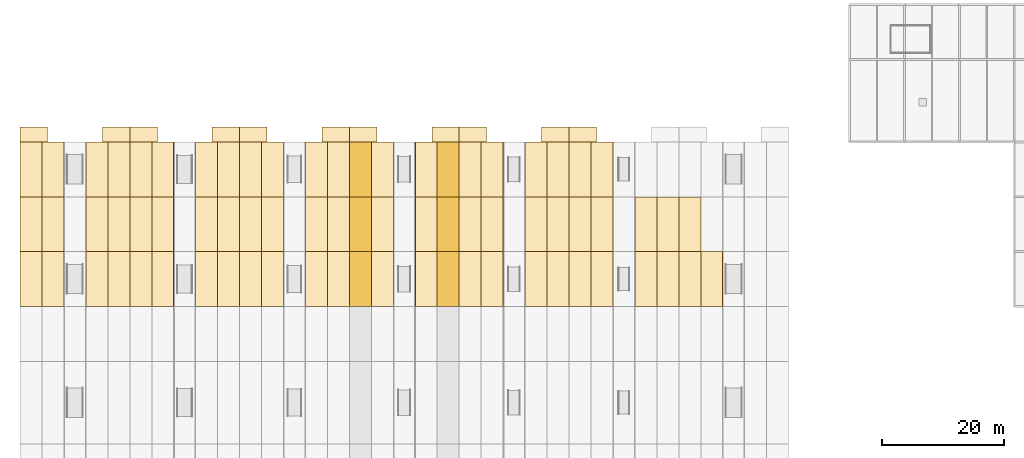
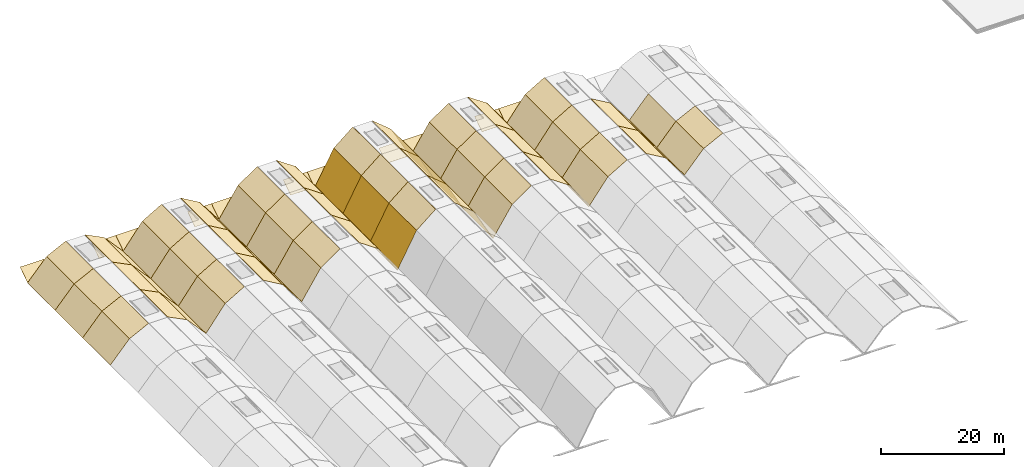
# One storey, part 10 of 11: 84 coverings.
"""IFC4 building model written with IfcOpenShell, lengths in metres."""

from ifc_helpers import new_model, si_unit, direction, frame, origin, place, context, subcontext, project, spatial, polyline, outline, extrude, material, layer, layer_set, type_object, element, save


model = new_model("IFC4")

# Units and contexts
model_context = context("Model", 3, precision=1e-05, world=origin(), true_north=direction((0.0, 1.0)))
body_context = subcontext(model_context, "Body", "Model", "MODEL_VIEW")
ifc_project = project(units=[si_unit("LENGTHUNIT", "METRE"), si_unit("AREAUNIT", "SQUARE_METRE"), si_unit("VOLUMEUNIT", "CUBIC_METRE"), si_unit("PLANEANGLEUNIT", "RADIAN"), si_unit("MASSUNIT", "GRAM", prefix="KILO")], contexts=[model_context])

# Site, building, storey
site_placement = place(None, origin())
site = spatial("IfcSite", under=ifc_project, at=site_placement, CompositionType="ELEMENT")
building_placement = place(site_placement, origin())
building = spatial("IfcBuilding", under=site, at=building_placement, Name="Chuanluo Vaults Station", CompositionType="ELEMENT")
storey_placement = place(building_placement, frame((0.0, 0.0, 24.0)))
storey = spatial("IfcBuildingStorey", under=building, at=storey_placement, Name="RF", CompositionType="ELEMENT", Elevation=24.0)

# Coverings
ifc_material_1 = material(Name="Perforated anodised aluminium panel", Category="aluminium")
ifc_layer_1 = layer(ifc_material_1, 0.050048828125)
ifc_layer_set_1 = layer_set([ifc_layer_1], Name="Perforated anodised aluminium panel")
covering_type_1 = type_object("IfcCoveringType", Name="COV-CLAD-PERF", PredefinedType="CLADDING", material=ifc_layer_set_1)
for number, where, z_axis, x_axis, name in (
    (1, (0.0, 103.5, -9.699951171875), (0.0, -0.554680662541, 0.832063316463), (1.0, 0.0, 0.0), "Vault V1 upturned eave cusp soffit N-W"),
    (2, (13.5, 103.5, -9.699951171875), (0.0, -0.554680662541, 0.832063316463), (1.0, 0.0, 0.0), "Vault V1 upturned eave cusp soffit N-E"),
    (3, (18.0, 103.5, -9.699951171875), (0.0, -0.554680662541, 0.832063316463), (1.0, 0.0, 0.0), "Vault V2 upturned eave cusp soffit N-W"),
    (4, (31.5, 103.5, -9.699951171875), (0.0, -0.554680662541, 0.832063316463), (1.0, 0.0, 0.0), "Vault V2 upturned eave cusp soffit N-E"),
    (5, (36.0, 103.5, -9.699951171875), (0.0, -0.554680662541, 0.832063316463), (1.0, 0.0, 0.0), "Vault V3 upturned eave cusp soffit N-W"),
    (6, (49.5, 103.5, -9.699951171875), (0.0, -0.554680662541, 0.832063316463), (1.0, 0.0, 0.0), "Vault V3 upturned eave cusp soffit N-E"),
    (7, (54.0, 103.5, -9.699951171875), (0.0, -0.554680662541, 0.832063316463), (1.0, 0.0, 0.0), "Vault V4 upturned eave cusp soffit N-W"),
    (8, (67.5, 103.5, -9.699951171875), (0.0, -0.554680662541, 0.832063316463), (1.0, 0.0, 0.0), "Vault V4 upturned eave cusp soffit N-E"),
    (9, (72.0, 103.5, -9.699951171875), (0.0, -0.554680662541, 0.832063316463), (1.0, 0.0, 0.0), "Vault V5 upturned eave cusp soffit N-W"),
    (10, (85.5, 103.5, -9.699951171875), (0.0, -0.554680662541, 0.832063316463), (1.0, 0.0, 0.0), "Vault V5 upturned eave cusp soffit N-E"),
    (11, (90.0, 103.5, -9.699951171875), (0.0, -0.554680662541, 0.832063316463), (1.0, 0.0, 0.0), "Vault V6 upturned eave cusp soffit N-W"),
):
    element("IfcCovering", number, at=place(storey_placement, frame(where, z_axis=z_axis, x_axis=x_axis)), inside=storey, type_object=covering_type_1, Name=name, PredefinedType="CLADDING", context=body_context, shape_type="SweptSolid", body=[
        extrude(outline(polyline([(0.0, 0.0), (4.5, 0.0), (4.5, 2.8842785113429), (0.0, 2.8842785113429), (0.0, 0.0)])), origin(), (0.0, 0.0, -1.0), 0.050048828125),
    ])
ifc_material_2 = material(Name="TPO waterproof roofing membrane")
ifc_layer_2 = layer(ifc_material_2, 0.044921875)
ifc_layer_set_2 = layer_set([ifc_layer_2], Name="TPO waterproof roofing membrane")
covering_type_2 = type_object("IfcCoveringType", Name="COV-ROOF-TPO", PredefinedType="ROOFING", material=ifc_layer_set_2)
covering_1_placement = place(storey_placement, frame((0.0, 76.5, -9.804931640625), z_axis=(-0.743447479335, 0.0, 0.668794322247), x_axis=(0.668794322247, 0.0, 0.743447479335)))
element("IfcCovering", 12, at=covering_1_placement, inside=storey, type_object=covering_type_2, Name="Vault V1 TPO roof membrane 6-L1", PredefinedType="ROOFING", context=body_context, shape_type="SweptSolid", body=[
    extrude(outline(polyline([(0.0, 0.0), (5.382966835234452, 0.0), (5.382966835234452, 9.000000000000002), (0.0, 9.000000000000002), (0.0, 0.0)])), origin(), (0.0, 0.0, -1.0), 0.044921875),
])
for number, where, z_axis, x_axis, name in (
    (13, (3.60009765625, 76.5, -5.802978515625), (-0.446849526259, 0.0, 0.89460913302), (0.89460913302, 0.0, 0.446849526259), "Vault V1 TPO roof membrane 6-L2"),
    (14, (10.800048828125, 76.5, -4.0048828125), (0.446849526259, 0.0, 0.89460913302), (0.89460913302, 0.0, -0.446849526259), "Vault V1 TPO roof membrane 6-R2"),
):
    element("IfcCovering", number, at=place(storey_placement, frame(where, z_axis=z_axis, x_axis=x_axis)), inside=storey, type_object=covering_type_2, Name=name, PredefinedType="ROOFING", context=body_context, shape_type="SweptSolid", body=[
        extrude(outline(polyline([(0.0, 0.0), (4.023940045720645, 0.0), (4.023940045720645, 9.0), (0.0, 9.0), (0.0, 0.0)])), origin(), (0.0, 0.0, -1.0), 0.044921875),
    ])
for number, where, z_axis, x_axis, name in (
    (15, (14.39990234375, 76.5, -5.802978515625), (0.743447479335, 0.0, 0.668794322247), (0.668794322247, 0.0, -0.743447479335), "Vault V1 TPO roof membrane 6-R1"),
    (16, (0.0, 85.5, -9.804931640625), (-0.743447479335, 0.0, 0.668794322247), (0.668794322247, 0.0, 0.743447479335), "Vault V1 TPO roof membrane 7-L1"),
):
    element("IfcCovering", number, at=place(storey_placement, frame(where, z_axis=z_axis, x_axis=x_axis)), inside=storey, type_object=covering_type_2, Name=name, PredefinedType="ROOFING", context=body_context, shape_type="SweptSolid", body=[
        extrude(outline(polyline([(0.0, 0.0), (5.382966835234452, 0.0), (5.382966835234452, 9.000000000000002), (0.0, 9.000000000000002), (0.0, 0.0)])), origin(), (0.0, 0.0, -1.0), 0.044921875),
    ])
for number, where, z_axis, x_axis, name in (
    (17, (3.60009765625, 85.5, -5.802978515625), (-0.446849526259, 0.0, 0.89460913302), (0.89460913302, 0.0, 0.446849526259), "Vault V1 TPO roof membrane 7-L2"),
    (18, (10.800048828125, 85.5, -4.0048828125), (0.446849526259, 0.0, 0.89460913302), (0.89460913302, 0.0, -0.446849526259), "Vault V1 TPO roof membrane 7-R2"),
):
    element("IfcCovering", number, at=place(storey_placement, frame(where, z_axis=z_axis, x_axis=x_axis)), inside=storey, type_object=covering_type_2, Name=name, PredefinedType="ROOFING", context=body_context, shape_type="SweptSolid", body=[
        extrude(outline(polyline([(0.0, 0.0), (4.023940045720645, 0.0), (4.023940045720645, 9.0), (0.0, 9.0), (0.0, 0.0)])), origin(), (0.0, 0.0, -1.0), 0.044921875),
    ])
for number, where, z_axis, x_axis, name in (
    (19, (14.39990234375, 85.5, -5.802978515625), (0.743447479335, 0.0, 0.668794322247), (0.668794322247, 0.0, -0.743447479335), "Vault V1 TPO roof membrane 7-R1"),
    (20, (0.0, 94.5, -9.804931640625), (-0.743447479335, 0.0, 0.668794322247), (0.668794322247, 0.0, 0.743447479335), "Vault V1 TPO roof membrane 8-L1"),
):
    element("IfcCovering", number, at=place(storey_placement, frame(where, z_axis=z_axis, x_axis=x_axis)), inside=storey, type_object=covering_type_2, Name=name, PredefinedType="ROOFING", context=body_context, shape_type="SweptSolid", body=[
        extrude(outline(polyline([(0.0, 0.0), (5.382966835234452, 0.0), (5.382966835234452, 9.000000000000002), (0.0, 9.000000000000002), (0.0, 0.0)])), origin(), (0.0, 0.0, -1.0), 0.044921875),
    ])
for number, where, z_axis, x_axis, name in (
    (21, (3.60009765625, 94.5, -5.802978515625), (-0.446849526259, 0.0, 0.89460913302), (0.89460913302, 0.0, 0.446849526259), "Vault V1 TPO roof membrane 8-L2"),
    (22, (10.800048828125, 94.5, -4.0048828125), (0.446849526259, 0.0, 0.89460913302), (0.89460913302, 0.0, -0.446849526259), "Vault V1 TPO roof membrane 8-R2"),
):
    element("IfcCovering", number, at=place(storey_placement, frame(where, z_axis=z_axis, x_axis=x_axis)), inside=storey, type_object=covering_type_2, Name=name, PredefinedType="ROOFING", context=body_context, shape_type="SweptSolid", body=[
        extrude(outline(polyline([(0.0, 0.0), (4.023940045720645, 0.0), (4.023940045720645, 9.0), (0.0, 9.0), (0.0, 0.0)])), origin(), (0.0, 0.0, -1.0), 0.044921875),
    ])
covering_2_placement = place(storey_placement, frame((14.39990234375, 94.5, -5.802978515625), z_axis=(0.743447479335, 0.0, 0.668794322247), x_axis=(0.668794322247, 0.0, -0.743447479335)))
element("IfcCovering", 23, at=covering_2_placement, inside=storey, type_object=covering_type_2, Name="Vault V1 TPO roof membrane 8-R1", PredefinedType="ROOFING", context=body_context, shape_type="SweptSolid", body=[
    extrude(outline(polyline([(0.0, 0.0), (5.382966835234452, 0.0), (5.382966835234452, 9.000000000000002), (0.0, 9.000000000000002), (0.0, 0.0)])), origin(), (0.0, 0.0, -1.0), 0.044921875),
])
covering_3_placement = place(storey_placement, frame((18.0, 76.5, -9.804931640625), z_axis=(-0.793363110815, 0.0, 0.608748695602), x_axis=(0.608748695602, 0.0, 0.793363110815)))
element("IfcCovering", 24, at=covering_3_placement, inside=storey, type_object=covering_type_2, Name="Vault V2 TPO roof membrane 6-L1", PredefinedType="ROOFING", context=body_context, shape_type="SweptSolid", body=[
    extrude(outline(polyline([(0.0, 0.0), (5.913930793212785, 0.0), (5.913930793212785, 9.0), (0.0, 9.0), (0.0, 0.0)])), origin(), (0.0, 0.0, -1.0), 0.044921875),
])
for number, where, z_axis, x_axis, name in (
    (25, (21.60009765625, 76.5, -5.113037109375), (-0.505343973972, 0.0, 0.862917996087), (0.862917996087, 0.0, 0.505343973972), "Vault V2 TPO roof membrane 6-L2"),
    (26, (28.800048828125, 76.5, -3.0048828125), (0.505343973972, 0.0, 0.862917996087), (0.862917996087, 0.0, -0.505343973972), "Vault V2 TPO roof membrane 6-R2"),
):
    element("IfcCovering", number, at=place(storey_placement, frame(where, z_axis=z_axis, x_axis=x_axis)), inside=storey, type_object=covering_type_2, Name=name, PredefinedType="ROOFING", context=body_context, shape_type="SweptSolid", body=[
        extrude(outline(polyline([(0.0, 0.0), (4.1717214520375405, 0.0), (4.1717214520375405, 9.000000000000002), (0.0, 9.000000000000002), (0.0, 0.0)])), origin(), (0.0, 0.0, -1.0), 0.044921875),
    ])
for number, where, z_axis, x_axis, name in (
    (27, (32.39990234375, 76.5, -5.113037109375), (0.793363110815, 0.0, 0.608748695602), (0.608748695602, 0.0, -0.793363110815), "Vault V2 TPO roof membrane 6-R1"),
    (28, (18.0, 85.5, -9.804931640625), (-0.793363110815, 0.0, 0.608748695602), (0.608748695602, 0.0, 0.793363110815), "Vault V2 TPO roof membrane 7-L1"),
):
    element("IfcCovering", number, at=place(storey_placement, frame(where, z_axis=z_axis, x_axis=x_axis)), inside=storey, type_object=covering_type_2, Name=name, PredefinedType="ROOFING", context=body_context, shape_type="SweptSolid", body=[
        extrude(outline(polyline([(0.0, 0.0), (5.913930793212785, 0.0), (5.913930793212785, 9.0), (0.0, 9.0), (0.0, 0.0)])), origin(), (0.0, 0.0, -1.0), 0.044921875),
    ])
for number, where, z_axis, x_axis, name in (
    (29, (21.60009765625, 85.5, -5.113037109375), (-0.505343973972, 0.0, 0.862917996087), (0.862917996087, 0.0, 0.505343973972), "Vault V2 TPO roof membrane 7-L2"),
    (30, (28.800048828125, 85.5, -3.0048828125), (0.505343973972, 0.0, 0.862917996087), (0.862917996087, 0.0, -0.505343973972), "Vault V2 TPO roof membrane 7-R2"),
):
    element("IfcCovering", number, at=place(storey_placement, frame(where, z_axis=z_axis, x_axis=x_axis)), inside=storey, type_object=covering_type_2, Name=name, PredefinedType="ROOFING", context=body_context, shape_type="SweptSolid", body=[
        extrude(outline(polyline([(0.0, 0.0), (4.1717214520375405, 0.0), (4.1717214520375405, 9.000000000000002), (0.0, 9.000000000000002), (0.0, 0.0)])), origin(), (0.0, 0.0, -1.0), 0.044921875),
    ])
for number, where, z_axis, x_axis, name in (
    (31, (32.39990234375, 85.5, -5.113037109375), (0.793363110815, 0.0, 0.608748695602), (0.608748695602, 0.0, -0.793363110815), "Vault V2 TPO roof membrane 7-R1"),
    (32, (18.0, 94.5, -9.804931640625), (-0.793363110815, 0.0, 0.608748695602), (0.608748695602, 0.0, 0.793363110815), "Vault V2 TPO roof membrane 8-L1"),
):
    element("IfcCovering", number, at=place(storey_placement, frame(where, z_axis=z_axis, x_axis=x_axis)), inside=storey, type_object=covering_type_2, Name=name, PredefinedType="ROOFING", context=body_context, shape_type="SweptSolid", body=[
        extrude(outline(polyline([(0.0, 0.0), (5.913930793212785, 0.0), (5.913930793212785, 9.0), (0.0, 9.0), (0.0, 0.0)])), origin(), (0.0, 0.0, -1.0), 0.044921875),
    ])
for number, where, z_axis, x_axis, name in (
    (33, (21.60009765625, 94.5, -5.113037109375), (-0.505343973972, 0.0, 0.862917996087), (0.862917996087, 0.0, 0.505343973972), "Vault V2 TPO roof membrane 8-L2"),
    (34, (28.800048828125, 94.5, -3.0048828125), (0.505343973972, 0.0, 0.862917996087), (0.862917996087, 0.0, -0.505343973972), "Vault V2 TPO roof membrane 8-R2"),
):
    element("IfcCovering", number, at=place(storey_placement, frame(where, z_axis=z_axis, x_axis=x_axis)), inside=storey, type_object=covering_type_2, Name=name, PredefinedType="ROOFING", context=body_context, shape_type="SweptSolid", body=[
        extrude(outline(polyline([(0.0, 0.0), (4.1717214520375405, 0.0), (4.1717214520375405, 9.000000000000002), (0.0, 9.000000000000002), (0.0, 0.0)])), origin(), (0.0, 0.0, -1.0), 0.044921875),
    ])
covering_4_placement = place(storey_placement, frame((32.39990234375, 94.5, -5.113037109375), z_axis=(0.793363110815, 0.0, 0.608748695602), x_axis=(0.608748695602, 0.0, -0.793363110815)))
element("IfcCovering", 35, at=covering_4_placement, inside=storey, type_object=covering_type_2, Name="Vault V2 TPO roof membrane 8-R1", PredefinedType="ROOFING", context=body_context, shape_type="SweptSolid", body=[
    extrude(outline(polyline([(0.0, 0.0), (5.913930793212785, 0.0), (5.913930793212785, 9.0), (0.0, 9.0), (0.0, 0.0)])), origin(), (0.0, 0.0, -1.0), 0.044921875),
])
covering_5_placement = place(storey_placement, frame((36.0, 76.5, -9.804931640625), z_axis=(-0.837604700912, 0.0, 0.54627682086), x_axis=(0.54627682086, 0.0, 0.837604700912)))
element("IfcCovering", 36, at=covering_5_placement, inside=storey, type_object=covering_type_2, Name="Vault V3 TPO roof membrane 6-L1", PredefinedType="ROOFING", context=body_context, shape_type="SweptSolid", body=[
    extrude(outline(polyline([(0.0, 0.0), (6.590244210946831, 0.0), (6.590244210946831, 9.0), (0.0, 9.0), (0.0, 0.0)])), origin(), (0.0, 0.0, -1.0), 0.044921875),
])
for number, where, z_axis, x_axis, name in (
    (37, (39.60009765625, 76.5, -4.284912109375), (-0.567317861209, 0.0, 0.823498903675), (0.823498903675, 0.0, 0.567317861209), "Vault V3 TPO roof membrane 6-L2"),
    (38, (46.800048828125, 76.5, -1.804931640625), (0.567317861209, 0.0, 0.823498903675), (0.823498903675, 0.0, -0.567317861209), "Vault V3 TPO roof membrane 6-R2"),
):
    element("IfcCovering", number, at=place(storey_placement, frame(where, z_axis=z_axis, x_axis=x_axis)), inside=storey, type_object=covering_type_2, Name=name, PredefinedType="ROOFING", context=body_context, shape_type="SweptSolid", body=[
        extrude(outline(polyline([(0.0, 0.0), (4.371412638877636, 0.0), (4.371412638877636, 9.0), (0.0, 9.0), (0.0, 0.0)])), origin(), (0.0, 0.0, -1.0), 0.044921875),
    ])
for number, where, z_axis, x_axis, name in (
    (39, (50.39990234375, 76.5, -4.284912109375), (0.837604700912, 0.0, 0.54627682086), (0.54627682086, 0.0, -0.837604700912), "Vault V3 TPO roof membrane 6-R1"),
    (40, (36.0, 85.5, -9.804931640625), (-0.837604700912, 0.0, 0.54627682086), (0.54627682086, 0.0, 0.837604700912), "Vault V3 TPO roof membrane 7-L1"),
):
    element("IfcCovering", number, at=place(storey_placement, frame(where, z_axis=z_axis, x_axis=x_axis)), inside=storey, type_object=covering_type_2, Name=name, PredefinedType="ROOFING", context=body_context, shape_type="SweptSolid", body=[
        extrude(outline(polyline([(0.0, 0.0), (6.590244210946831, 0.0), (6.590244210946831, 9.0), (0.0, 9.0), (0.0, 0.0)])), origin(), (0.0, 0.0, -1.0), 0.044921875),
    ])
for number, where, z_axis, x_axis, name in (
    (41, (39.60009765625, 85.5, -4.284912109375), (-0.567317861209, 0.0, 0.823498903675), (0.823498903675, 0.0, 0.567317861209), "Vault V3 TPO roof membrane 7-L2"),
    (42, (46.800048828125, 85.5, -1.804931640625), (0.567317861209, 0.0, 0.823498903675), (0.823498903675, 0.0, -0.567317861209), "Vault V3 TPO roof membrane 7-R2"),
):
    element("IfcCovering", number, at=place(storey_placement, frame(where, z_axis=z_axis, x_axis=x_axis)), inside=storey, type_object=covering_type_2, Name=name, PredefinedType="ROOFING", context=body_context, shape_type="SweptSolid", body=[
        extrude(outline(polyline([(0.0, 0.0), (4.371412638877636, 0.0), (4.371412638877636, 9.0), (0.0, 9.0), (0.0, 0.0)])), origin(), (0.0, 0.0, -1.0), 0.044921875),
    ])
for number, where, z_axis, x_axis, name in (
    (43, (50.39990234375, 85.5, -4.284912109375), (0.837604700912, 0.0, 0.54627682086), (0.54627682086, 0.0, -0.837604700912), "Vault V3 TPO roof membrane 7-R1"),
    (44, (36.0, 94.5, -9.804931640625), (-0.837604700912, 0.0, 0.54627682086), (0.54627682086, 0.0, 0.837604700912), "Vault V3 TPO roof membrane 8-L1"),
):
    element("IfcCovering", number, at=place(storey_placement, frame(where, z_axis=z_axis, x_axis=x_axis)), inside=storey, type_object=covering_type_2, Name=name, PredefinedType="ROOFING", context=body_context, shape_type="SweptSolid", body=[
        extrude(outline(polyline([(0.0, 0.0), (6.590244210946831, 0.0), (6.590244210946831, 9.0), (0.0, 9.0), (0.0, 0.0)])), origin(), (0.0, 0.0, -1.0), 0.044921875),
    ])
for number, where, z_axis, x_axis, name in (
    (45, (39.60009765625, 94.5, -4.284912109375), (-0.567317861209, 0.0, 0.823498903675), (0.823498903675, 0.0, 0.567317861209), "Vault V3 TPO roof membrane 8-L2"),
    (46, (46.800048828125, 94.5, -1.804931640625), (0.567317861209, 0.0, 0.823498903675), (0.823498903675, 0.0, -0.567317861209), "Vault V3 TPO roof membrane 8-R2"),
):
    element("IfcCovering", number, at=place(storey_placement, frame(where, z_axis=z_axis, x_axis=x_axis)), inside=storey, type_object=covering_type_2, Name=name, PredefinedType="ROOFING", context=body_context, shape_type="SweptSolid", body=[
        extrude(outline(polyline([(0.0, 0.0), (4.371412638877636, 0.0), (4.371412638877636, 9.0), (0.0, 9.0), (0.0, 0.0)])), origin(), (0.0, 0.0, -1.0), 0.044921875),
    ])
covering_6_placement = place(storey_placement, frame((50.39990234375, 94.5, -4.284912109375), z_axis=(0.837604700912, 0.0, 0.54627682086), x_axis=(0.54627682086, 0.0, -0.837604700912)))
element("IfcCovering", 47, at=covering_6_placement, inside=storey, type_object=covering_type_2, Name="Vault V3 TPO roof membrane 8-R1", PredefinedType="ROOFING", context=body_context, shape_type="SweptSolid", body=[
    extrude(outline(polyline([(0.0, 0.0), (6.590244210946831, 0.0), (6.590244210946831, 9.0), (0.0, 9.0), (0.0, 0.0)])), origin(), (0.0, 0.0, -1.0), 0.044921875),
])
covering_7_placement = place(storey_placement, frame((54.0, 76.5, -9.804931640625), z_axis=(-0.878619783786, 0.0, 0.477522015764), x_axis=(0.477522015764, 0.0, 0.878619783786)))
element("IfcCovering", 48, at=covering_7_placement, inside=storey, type_object=covering_type_2, Name="Vault V4 TPO roof membrane 6-L1", PredefinedType="ROOFING", context=body_context, shape_type="SweptSolid", body=[
    extrude(outline(polyline([(0.0, 0.0), (7.539123930211392, 0.0), (7.539123930211392, 9.0), (0.0, 9.0), (0.0, 0.0)])), origin(), (0.0, 0.0, -1.0), 0.044921875),
])
for number, where, z_axis, x_axis, name in (
    (49, (57.60009765625, 76.5, -3.180908203125), (-0.637140772977, 0.0, 0.770747452419), (0.770747452419, 0.0, 0.637140772977), "Vault V4 TPO roof membrane 6-L2"),
    (50, (64.800048828125, 76.5, -0.205078125), (0.637140772977, 0.0, 0.770747452419), (0.770747452419, 0.0, -0.637140772977), "Vault V4 TPO roof membrane 6-R2"),
):
    element("IfcCovering", number, at=place(storey_placement, frame(where, z_axis=z_axis, x_axis=x_axis)), inside=storey, type_object=covering_type_2, Name=name, PredefinedType="ROOFING", context=body_context, shape_type="SweptSolid", body=[
        extrude(outline(polyline([(0.0, 0.0), (4.670600602474067, 0.0), (4.670600602474067, 9.0), (0.0, 9.0), (0.0, 0.0)])), origin(), (0.0, 0.0, -1.0), 0.044921875),
    ])
for number, where, z_axis, x_axis, name in (
    (51, (68.39990234375, 76.5, -3.180908203125), (0.878619783786, 0.0, 0.477522015764), (0.477522015764, 0.0, -0.878619783786), "Vault V4 TPO roof membrane 6-R1"),
    (52, (54.0, 85.5, -9.804931640625), (-0.878619783786, 0.0, 0.477522015764), (0.477522015764, 0.0, 0.878619783786), "Vault V4 TPO roof membrane 7-L1"),
):
    element("IfcCovering", number, at=place(storey_placement, frame(where, z_axis=z_axis, x_axis=x_axis)), inside=storey, type_object=covering_type_2, Name=name, PredefinedType="ROOFING", context=body_context, shape_type="SweptSolid", body=[
        extrude(outline(polyline([(0.0, 0.0), (7.539123930211392, 0.0), (7.539123930211392, 9.0), (0.0, 9.0), (0.0, 0.0)])), origin(), (0.0, 0.0, -1.0), 0.044921875),
    ])
for number, where, z_axis, x_axis, name in (
    (53, (57.60009765625, 85.5, -3.180908203125), (-0.637140772977, 0.0, 0.770747452419), (0.770747452419, 0.0, 0.637140772977), "Vault V4 TPO roof membrane 7-L2"),
    (54, (64.800048828125, 85.5, -0.205078125), (0.637140772977, 0.0, 0.770747452419), (0.770747452419, 0.0, -0.637140772977), "Vault V4 TPO roof membrane 7-R2"),
):
    element("IfcCovering", number, at=place(storey_placement, frame(where, z_axis=z_axis, x_axis=x_axis)), inside=storey, type_object=covering_type_2, Name=name, PredefinedType="ROOFING", context=body_context, shape_type="SweptSolid", body=[
        extrude(outline(polyline([(0.0, 0.0), (4.670600602474067, 0.0), (4.670600602474067, 9.0), (0.0, 9.0), (0.0, 0.0)])), origin(), (0.0, 0.0, -1.0), 0.044921875),
    ])
for number, where, z_axis, x_axis, name in (
    (55, (68.39990234375, 85.5, -3.180908203125), (0.878619783786, 0.0, 0.477522015764), (0.477522015764, 0.0, -0.878619783786), "Vault V4 TPO roof membrane 7-R1"),
    (56, (54.0, 94.5, -9.804931640625), (-0.878619783786, 0.0, 0.477522015764), (0.477522015764, 0.0, 0.878619783786), "Vault V4 TPO roof membrane 8-L1"),
):
    element("IfcCovering", number, at=place(storey_placement, frame(where, z_axis=z_axis, x_axis=x_axis)), inside=storey, type_object=covering_type_2, Name=name, PredefinedType="ROOFING", context=body_context, shape_type="SweptSolid", body=[
        extrude(outline(polyline([(0.0, 0.0), (7.539123930211392, 0.0), (7.539123930211392, 9.0), (0.0, 9.0), (0.0, 0.0)])), origin(), (0.0, 0.0, -1.0), 0.044921875),
    ])
for number, where, z_axis, x_axis, name in (
    (57, (57.60009765625, 94.5, -3.180908203125), (-0.637140772977, 0.0, 0.770747452419), (0.770747452419, 0.0, 0.637140772977), "Vault V4 TPO roof membrane 8-L2"),
    (58, (64.800048828125, 94.5, -0.205078125), (0.637140772977, 0.0, 0.770747452419), (0.770747452419, 0.0, -0.637140772977), "Vault V4 TPO roof membrane 8-R2"),
):
    element("IfcCovering", number, at=place(storey_placement, frame(where, z_axis=z_axis, x_axis=x_axis)), inside=storey, type_object=covering_type_2, Name=name, PredefinedType="ROOFING", context=body_context, shape_type="SweptSolid", body=[
        extrude(outline(polyline([(0.0, 0.0), (4.670600602474067, 0.0), (4.670600602474067, 9.0), (0.0, 9.0), (0.0, 0.0)])), origin(), (0.0, 0.0, -1.0), 0.044921875),
    ])
covering_8_placement = place(storey_placement, frame((68.39990234375, 94.5, -3.180908203125), z_axis=(0.878619783786, 0.0, 0.477522015764), x_axis=(0.477522015764, 0.0, -0.878619783786)))
element("IfcCovering", 59, at=covering_8_placement, inside=storey, type_object=covering_type_2, Name="Vault V4 TPO roof membrane 8-R1", PredefinedType="ROOFING", context=body_context, shape_type="SweptSolid", body=[
    extrude(outline(polyline([(0.0, 0.0), (7.539123930211392, 0.0), (7.539123930211392, 9.0), (0.0, 9.0), (0.0, 0.0)])), origin(), (0.0, 0.0, -1.0), 0.044921875),
])
covering_9_placement = place(storey_placement, frame((72.0, 76.5, -9.804931640625), z_axis=(-0.837604700912, 0.0, 0.54627682086), x_axis=(0.54627682086, 0.0, 0.837604700912)))
element("IfcCovering", 60, at=covering_9_placement, inside=storey, type_object=covering_type_2, Name="Vault V5 TPO roof membrane 6-L1", PredefinedType="ROOFING", context=body_context, shape_type="SweptSolid", body=[
    extrude(outline(polyline([(0.0, 0.0), (6.590244210946831, 0.0), (6.590244210946831, 9.0), (0.0, 9.0), (0.0, 0.0)])), origin(), (0.0, 0.0, -1.0), 0.044921875),
])
for number, where, z_axis, x_axis, name in (
    (61, (75.60009765625, 76.5, -4.284912109375), (-0.567317861209, 0.0, 0.823498903675), (0.823498903675, 0.0, 0.567317861209), "Vault V5 TPO roof membrane 6-L2"),
    (62, (82.800048828125, 76.5, -1.804931640625), (0.567317861209, 0.0, 0.823498903675), (0.823498903675, 0.0, -0.567317861209), "Vault V5 TPO roof membrane 6-R2"),
):
    element("IfcCovering", number, at=place(storey_placement, frame(where, z_axis=z_axis, x_axis=x_axis)), inside=storey, type_object=covering_type_2, Name=name, PredefinedType="ROOFING", context=body_context, shape_type="SweptSolid", body=[
        extrude(outline(polyline([(0.0, 0.0), (4.371412638877636, 0.0), (4.371412638877636, 9.0), (0.0, 9.0), (0.0, 0.0)])), origin(), (0.0, 0.0, -1.0), 0.044921875),
    ])
for number, where, z_axis, x_axis, name in (
    (63, (86.39990234375, 76.5, -4.284912109375), (0.837604700912, 0.0, 0.54627682086), (0.54627682086, 0.0, -0.837604700912), "Vault V5 TPO roof membrane 6-R1"),
    (64, (72.0, 85.5, -9.804931640625), (-0.837604700912, 0.0, 0.54627682086), (0.54627682086, 0.0, 0.837604700912), "Vault V5 TPO roof membrane 7-L1"),
):
    element("IfcCovering", number, at=place(storey_placement, frame(where, z_axis=z_axis, x_axis=x_axis)), inside=storey, type_object=covering_type_2, Name=name, PredefinedType="ROOFING", context=body_context, shape_type="SweptSolid", body=[
        extrude(outline(polyline([(0.0, 0.0), (6.590244210946831, 0.0), (6.590244210946831, 9.0), (0.0, 9.0), (0.0, 0.0)])), origin(), (0.0, 0.0, -1.0), 0.044921875),
    ])
for number, where, z_axis, x_axis, name in (
    (65, (75.60009765625, 85.5, -4.284912109375), (-0.567317861209, 0.0, 0.823498903675), (0.823498903675, 0.0, 0.567317861209), "Vault V5 TPO roof membrane 7-L2"),
    (66, (82.800048828125, 85.5, -1.804931640625), (0.567317861209, 0.0, 0.823498903675), (0.823498903675, 0.0, -0.567317861209), "Vault V5 TPO roof membrane 7-R2"),
):
    element("IfcCovering", number, at=place(storey_placement, frame(where, z_axis=z_axis, x_axis=x_axis)), inside=storey, type_object=covering_type_2, Name=name, PredefinedType="ROOFING", context=body_context, shape_type="SweptSolid", body=[
        extrude(outline(polyline([(0.0, 0.0), (4.371412638877636, 0.0), (4.371412638877636, 9.0), (0.0, 9.0), (0.0, 0.0)])), origin(), (0.0, 0.0, -1.0), 0.044921875),
    ])
for number, where, z_axis, x_axis, name in (
    (67, (86.39990234375, 85.5, -4.284912109375), (0.837604700912, 0.0, 0.54627682086), (0.54627682086, 0.0, -0.837604700912), "Vault V5 TPO roof membrane 7-R1"),
    (68, (72.0, 94.5, -9.804931640625), (-0.837604700912, 0.0, 0.54627682086), (0.54627682086, 0.0, 0.837604700912), "Vault V5 TPO roof membrane 8-L1"),
):
    element("IfcCovering", number, at=place(storey_placement, frame(where, z_axis=z_axis, x_axis=x_axis)), inside=storey, type_object=covering_type_2, Name=name, PredefinedType="ROOFING", context=body_context, shape_type="SweptSolid", body=[
        extrude(outline(polyline([(0.0, 0.0), (6.590244210946831, 0.0), (6.590244210946831, 9.0), (0.0, 9.0), (0.0, 0.0)])), origin(), (0.0, 0.0, -1.0), 0.044921875),
    ])
for number, where, z_axis, x_axis, name in (
    (69, (75.60009765625, 94.5, -4.284912109375), (-0.567317861209, 0.0, 0.823498903675), (0.823498903675, 0.0, 0.567317861209), "Vault V5 TPO roof membrane 8-L2"),
    (70, (82.800048828125, 94.5, -1.804931640625), (0.567317861209, 0.0, 0.823498903675), (0.823498903675, 0.0, -0.567317861209), "Vault V5 TPO roof membrane 8-R2"),
):
    element("IfcCovering", number, at=place(storey_placement, frame(where, z_axis=z_axis, x_axis=x_axis)), inside=storey, type_object=covering_type_2, Name=name, PredefinedType="ROOFING", context=body_context, shape_type="SweptSolid", body=[
        extrude(outline(polyline([(0.0, 0.0), (4.371412638877636, 0.0), (4.371412638877636, 9.0), (0.0, 9.0), (0.0, 0.0)])), origin(), (0.0, 0.0, -1.0), 0.044921875),
    ])
covering_10_placement = place(storey_placement, frame((86.39990234375, 94.5, -4.284912109375), z_axis=(0.837604700912, 0.0, 0.54627682086), x_axis=(0.54627682086, 0.0, -0.837604700912)))
element("IfcCovering", 71, at=covering_10_placement, inside=storey, type_object=covering_type_2, Name="Vault V5 TPO roof membrane 8-R1", PredefinedType="ROOFING", context=body_context, shape_type="SweptSolid", body=[
    extrude(outline(polyline([(0.0, 0.0), (6.590244210946831, 0.0), (6.590244210946831, 9.0), (0.0, 9.0), (0.0, 0.0)])), origin(), (0.0, 0.0, -1.0), 0.044921875),
])
covering_11_placement = place(storey_placement, frame((90.0, 76.5, -9.804931640625), z_axis=(-0.793363110815, 0.0, 0.608748695602), x_axis=(0.608748695602, 0.0, 0.793363110815)))
element("IfcCovering", 72, at=covering_11_placement, inside=storey, type_object=covering_type_2, Name="Vault V6 TPO roof membrane 6-L1", PredefinedType="ROOFING", context=body_context, shape_type="SweptSolid", body=[
    extrude(outline(polyline([(0.0, 0.0), (5.913930793212785, 0.0), (5.913930793212785, 9.0), (0.0, 9.0), (0.0, 0.0)])), origin(), (0.0, 0.0, -1.0), 0.044921875),
])
for number, where, z_axis, x_axis, name in (
    (73, (93.60009765625, 76.5, -5.113037109375), (-0.505343973972, 0.0, 0.862917996087), (0.862917996087, 0.0, 0.505343973972), "Vault V6 TPO roof membrane 6-L2"),
    (74, (100.800048828125, 76.5, -3.0048828125), (0.505343973972, 0.0, 0.862917996087), (0.862917996087, 0.0, -0.505343973972), "Vault V6 TPO roof membrane 6-R2"),
):
    element("IfcCovering", number, at=place(storey_placement, frame(where, z_axis=z_axis, x_axis=x_axis)), inside=storey, type_object=covering_type_2, Name=name, PredefinedType="ROOFING", context=body_context, shape_type="SweptSolid", body=[
        extrude(outline(polyline([(0.0, 0.0), (4.1717214520375405, 0.0), (4.1717214520375405, 9.000000000000002), (0.0, 9.000000000000002), (0.0, 0.0)])), origin(), (0.0, 0.0, -1.0), 0.044921875),
    ])
for number, where, z_axis, x_axis, name in (
    (75, (104.39990234375, 76.5, -5.113037109375), (0.793363110815, 0.0, 0.608748695602), (0.608748695602, 0.0, -0.793363110815), "Vault V6 TPO roof membrane 6-R1"),
    (76, (90.0, 85.5, -9.804931640625), (-0.793363110815, 0.0, 0.608748695602), (0.608748695602, 0.0, 0.793363110815), "Vault V6 TPO roof membrane 7-L1"),
):
    element("IfcCovering", number, at=place(storey_placement, frame(where, z_axis=z_axis, x_axis=x_axis)), inside=storey, type_object=covering_type_2, Name=name, PredefinedType="ROOFING", context=body_context, shape_type="SweptSolid", body=[
        extrude(outline(polyline([(0.0, 0.0), (5.913930793212785, 0.0), (5.913930793212785, 9.0), (0.0, 9.0), (0.0, 0.0)])), origin(), (0.0, 0.0, -1.0), 0.044921875),
    ])
for number, where, z_axis, x_axis, name in (
    (77, (93.60009765625, 85.5, -5.113037109375), (-0.505343973972, 0.0, 0.862917996087), (0.862917996087, 0.0, 0.505343973972), "Vault V6 TPO roof membrane 7-L2"),
    (78, (100.800048828125, 85.5, -3.0048828125), (0.505343973972, 0.0, 0.862917996087), (0.862917996087, 0.0, -0.505343973972), "Vault V6 TPO roof membrane 7-R2"),
):
    element("IfcCovering", number, at=place(storey_placement, frame(where, z_axis=z_axis, x_axis=x_axis)), inside=storey, type_object=covering_type_2, Name=name, PredefinedType="ROOFING", context=body_context, shape_type="SweptSolid", body=[
        extrude(outline(polyline([(0.0, 0.0), (4.1717214520375405, 0.0), (4.1717214520375405, 9.000000000000002), (0.0, 9.000000000000002), (0.0, 0.0)])), origin(), (0.0, 0.0, -1.0), 0.044921875),
    ])
for number, where, z_axis, x_axis, name in (
    (79, (104.39990234375, 85.5, -5.113037109375), (0.793363110815, 0.0, 0.608748695602), (0.608748695602, 0.0, -0.793363110815), "Vault V6 TPO roof membrane 7-R1"),
    (80, (90.0, 94.5, -9.804931640625), (-0.793363110815, 0.0, 0.608748695602), (0.608748695602, 0.0, 0.793363110815), "Vault V6 TPO roof membrane 8-L1"),
):
    element("IfcCovering", number, at=place(storey_placement, frame(where, z_axis=z_axis, x_axis=x_axis)), inside=storey, type_object=covering_type_2, Name=name, PredefinedType="ROOFING", context=body_context, shape_type="SweptSolid", body=[
        extrude(outline(polyline([(0.0, 0.0), (5.913930793212785, 0.0), (5.913930793212785, 9.0), (0.0, 9.0), (0.0, 0.0)])), origin(), (0.0, 0.0, -1.0), 0.044921875),
    ])
covering_12_placement = place(storey_placement, frame((93.60009765625, 94.5, -5.113037109375), z_axis=(-0.505343973972, 0.0, 0.862917996087), x_axis=(0.862917996087, 0.0, 0.505343973972)))
element("IfcCovering", 81, at=covering_12_placement, inside=storey, type_object=covering_type_2, Name="Vault V6 TPO roof membrane 8-L2", PredefinedType="ROOFING", context=body_context, shape_type="SweptSolid", body=[
    extrude(outline(polyline([(0.0, 0.0), (4.1717214520375405, 0.0), (4.1717214520375405, 9.000000000000002), (0.0, 9.000000000000002), (0.0, 0.0)])), origin(), (0.0, 0.0, -1.0), 0.044921875),
])
covering_13_placement = place(storey_placement, frame((108.0, 76.5, -9.804931640625), z_axis=(-0.743447479335, 0.0, 0.668794322247), x_axis=(0.668794322247, 0.0, 0.743447479335)))
element("IfcCovering", 82, at=covering_13_placement, inside=storey, type_object=covering_type_2, Name="Vault V7 TPO roof membrane 6-L1", PredefinedType="ROOFING", context=body_context, shape_type="SweptSolid", body=[
    extrude(outline(polyline([(0.0, 0.0), (5.382966835234452, 0.0), (5.382966835234452, 9.000000000000002), (0.0, 9.000000000000002), (0.0, 0.0)])), origin(), (0.0, 0.0, -1.0), 0.044921875),
])
covering_14_placement = place(storey_placement, frame((111.60009765625, 76.5, -5.802978515625), z_axis=(-0.446849526259, 0.0, 0.89460913302), x_axis=(0.89460913302, 0.0, 0.446849526259)))
element("IfcCovering", 83, at=covering_14_placement, inside=storey, type_object=covering_type_2, Name="Vault V7 TPO roof membrane 6-L2", PredefinedType="ROOFING", context=body_context, shape_type="SweptSolid", body=[
    extrude(outline(polyline([(0.0, 0.0), (4.023940045720645, 0.0), (4.023940045720645, 9.0), (0.0, 9.0), (0.0, 0.0)])), origin(), (0.0, 0.0, -1.0), 0.044921875),
])
covering_15_placement = place(storey_placement, frame((108.0, 85.5, -9.804931640625), z_axis=(-0.743447479335, 0.0, 0.668794322247), x_axis=(0.668794322247, 0.0, 0.743447479335)))
element("IfcCovering", 84, at=covering_15_placement, inside=storey, type_object=covering_type_2, Name="Vault V7 TPO roof membrane 7-L1", PredefinedType="ROOFING", context=body_context, shape_type="SweptSolid", body=[
    extrude(outline(polyline([(0.0, 0.0), (5.382966835234452, 0.0), (5.382966835234452, 9.000000000000002), (0.0, 9.000000000000002), (0.0, 0.0)])), origin(), (0.0, 0.0, -1.0), 0.044921875),
])

save(model, "model.ifc")
